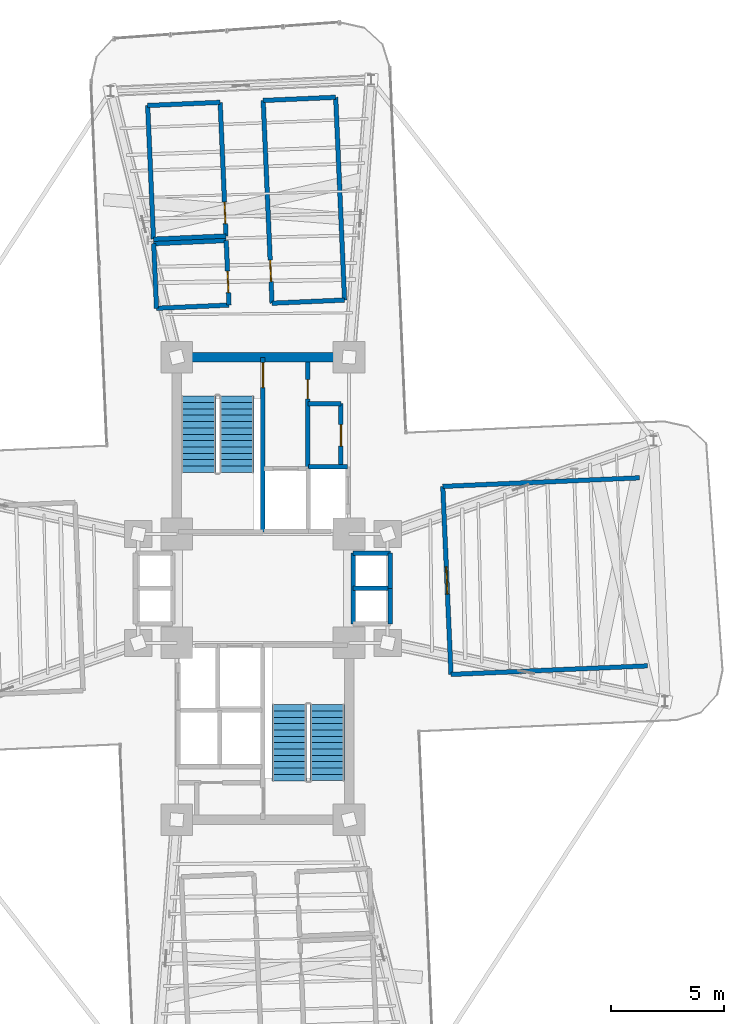
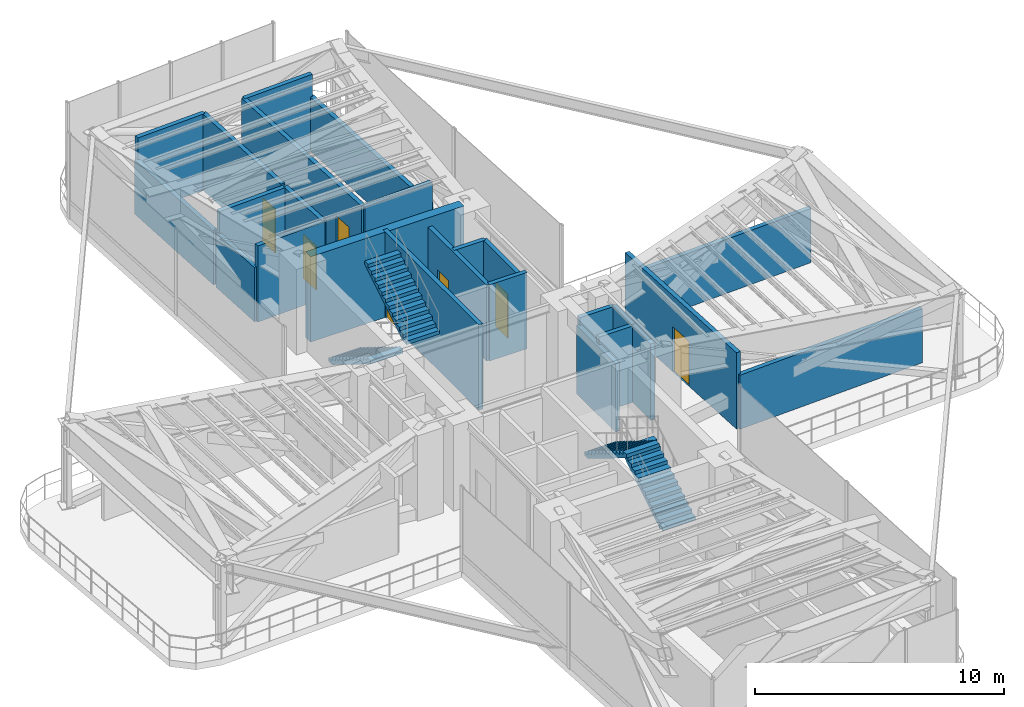
# One storey, part 16 of 18: 26 walls, 7 doors, 4 stair flights, 7 openings, 2 elements without a shape of their own.
"""IFC4 building model written with IfcOpenShell, lengths in metres."""

from ifc_helpers import new_model, si_unit, direction, frame, frame_2d, origin, origin_2d, place, context, subcontext, project, spatial, polyline, rectangle, outline, extrude, source, transform, mapped, material, layer, layer_set, type_object, element, fill, aggregate, save


model = new_model("IFC4")

# Units and contexts
model_context = context("Model", 3, precision=1e-05, world=origin(), true_north=direction((0.0, 1.0)))
body_context = subcontext(model_context, "Body", "Model", "MODEL_VIEW")
ifc_project = project(units=[si_unit("LENGTHUNIT", "METRE"), si_unit("AREAUNIT", "SQUARE_METRE"), si_unit("VOLUMEUNIT", "CUBIC_METRE"), si_unit("PLANEANGLEUNIT", "RADIAN"), si_unit("MASSUNIT", "GRAM", prefix="KILO")], contexts=[model_context])

# Site, building, storey
site_placement = place(None, origin())
site = spatial("IfcSite", under=ifc_project, at=site_placement, CompositionType="ELEMENT")
building_placement = place(site_placement, origin())
building = spatial("IfcBuilding", under=site, at=building_placement, Name="Sahyath Konkavel Grand Hotel", CompositionType="ELEMENT")
storey_placement = place(building_placement, frame((0.0, 0.0, 138.25)))
storey = spatial("IfcBuildingStorey", under=building, at=storey_placement, Name="L38", CompositionType="ELEMENT", Elevation=138.25)

# Wall
ifc_material_1 = material(Name="Concrete C50/60", Category="concrete")
ifc_layer_1 = layer(ifc_material_1, 0.419921875)
ifc_layer_set_1 = layer_set([ifc_layer_1], Name="Concrete C50/60")
wall_type_1 = type_object("IfcWallType", Name="CWALL-420", PredefinedType="SHEAR", material=ifc_layer_set_1)
wall_1_placement = place(storey_placement, frame((-3.550048828125, 10.199951171875, 0.0), z_axis=(0.0, 0.0, 1.0), x_axis=(1.0, 0.0, 0.0)))
element("IfcWall", 1, at=wall_1_placement, inside=storey, type_object=wall_type_1, Name="L38 North Core Shear Wall N", PredefinedType="SHEAR", context=body_context, shape_type="SweptSolid", body=[
    extrude(rectangle(XDim=7.10009765625, YDim=0.419921875, at=frame_2d((3.550048828125, 0.0))), origin(), (0.0, 0.0, 1.0), 4.179931640625),
])

# Wall, opening, door
ifc_material_2 = material(Name="Concrete C40/50", Category="concrete")
ifc_layer_2 = layer(ifc_material_2, 0.199951171875)
ifc_layer_set_2 = layer_set([ifc_layer_2], Name="Concrete C40/50")
wall_type_2 = type_object("IfcWallType", Name="WLL-CORE-200", PredefinedType="SOLIDWALL", material=ifc_layer_set_2)
wall_2_placement = place(storey_placement, frame((0.0, 2.5, 0.0), z_axis=(0.0, 0.0, 1.0), x_axis=(0.0, 1.0, 0.0)))
wall_2 = element("IfcWall", 2, at=wall_2_placement, inside=storey, type_object=wall_type_2, Name="L38 Stair ST-1 Shaft Wall E", PredefinedType="SOLIDWALL", context=body_context, shape_type="SweptSolid", body=[
    extrude(rectangle(XDim=7.679931640625, YDim=0.199951171875, at=frame_2d((3.83984375, 0.0))), origin(), (0.0, 0.0, 1.0), 4.179931640625),
])
opening_1_placement = place(wall_2_placement, frame((6.360107421875, 0.0, 0.0)))
opening_1 = element("IfcOpeningElement", 3, at=opening_1_placement, cuts=wall_2, Name="Opening D-F12B", PredefinedType="OPENING", context=body_context, shape_type="SweptSolid", body=[
    extrude(rectangle(XDim=1.10009765625, YDim=2.14990234375, at=frame_2d((0.550048828125, 1.074951171875))), frame((0.0, 0.10986328125, 0.0), z_axis=(0.0, -1.0, 0.0), x_axis=(1.0, 0.0, 0.0)), (0.0, 0.0, 1.0), 0.219970703125),
])
ifc_material_3 = material(Name="Steel E350 Smokeproof Fire Door", Category="steel")
door_type_1 = type_object("IfcDoorType", Name="DR-FD120-1100", OperationType="NOTDEFINED", PredefinedType="DOOR", material=ifc_material_3)
shared_shape_1 = source(origin(), body_context, "Body", "SweptSolid", [
    extrude(rectangle(XDim=1.10009765625, YDim=0.050048828125, at=origin_2d()), origin(), (0.0, 0.0, 1.0), 2.14990234375),
])
door_1_placement = place(opening_1_placement, frame((0.550048828125, 0.0, 0.0)))
door_1 = element("IfcDoor", 4, at=door_1_placement, inside=storey, type_object=door_type_1, Name="L38 Stair ST-1 Fire Door", OperationType="SINGLE_SWING_RIGHT", OverallHeight=2.14990234375, OverallWidth=1.10009765625, PredefinedType="DOOR", context=body_context, shape_type="MappedRepresentation", body=[
    mapped(shared_shape_1, transform((0.0, 0.0, 0.0), scale=1.0)),
])
fill(opening_1, door_1)

wall_3_placement = place(storey_placement, frame((1.97998046875, 5.320068359375, 0.0), z_axis=(0.0, 0.0, 1.0), x_axis=(0.0, 1.0, 0.0)))
wall_3 = element("IfcWall", 5, at=wall_3_placement, inside=storey, type_object=wall_type_2, Name="L38 North Firefighting Lobby Wall E", PredefinedType="SOLIDWALL", context=body_context, shape_type="SweptSolid", body=[
    extrude(rectangle(XDim=4.659912109375, YDim=0.199951171875, at=frame_2d((2.330078125, 0.0))), origin(), (0.0, 0.0, 1.0), 3.72998046875),
])
opening_2_placement = place(wall_3_placement, frame((3.0400390625, 0.0, 0.0)))
opening_2 = element("IfcOpeningElement", 6, at=opening_2_placement, cuts=wall_3, Name="Opening D-F12D", PredefinedType="OPENING", context=body_context, shape_type="SweptSolid", body=[
    extrude(rectangle(XDim=0.85009765625, YDim=2.10009765625, at=frame_2d((0.425048828125, 1.050048828125))), frame((0.0, 0.10986328125, 0.0), z_axis=(0.0, -1.0, 0.0), x_axis=(1.0, 0.0, 0.0)), (0.0, 0.0, 1.0), 0.219970703125),
])
ifc_material_4 = material(Name="Steel E350 Core Fire Door", Category="steel")
door_type_2 = type_object("IfcDoorType", Name="DR-FD120-850", OperationType="NOTDEFINED", PredefinedType="DOOR", material=ifc_material_4)
shared_shape_2 = source(origin(), body_context, "Body", "SweptSolid", [
    extrude(rectangle(XDim=0.85009765625, YDim=0.050048828125, at=origin_2d()), origin(), (0.0, 0.0, 1.0), 2.10009765625),
])
door_2_placement = place(opening_2_placement, frame((0.425048828125, 0.0, 0.0)))
door_2 = element("IfcDoor", 7, at=door_2_placement, inside=storey, type_object=door_type_2, Name="L38 North Firefighting Lobby Door", OperationType="SINGLE_SWING_RIGHT", OverallHeight=2.10009765625, OverallWidth=0.85009765625, PredefinedType="DOOR", context=body_context, shape_type="MappedRepresentation", body=[
    mapped(shared_shape_2, transform((0.0, 0.0, 0.0), scale=1.0)),
])
fill(opening_2, door_2)

# Walls
wall_4_placement = place(storey_placement, frame((2.0, 5.360107421875, 0.0), z_axis=(0.0, 0.0, 1.0), x_axis=(1.0, 0.0, 0.0)))
element("IfcWall", 8, at=wall_4_placement, inside=storey, type_object=wall_type_2, Name="L38 Partition SH-SVL1-N", PredefinedType="SOLIDWALL", context=body_context, shape_type="SweptSolid", body=[
    extrude(rectangle(XDim=1.739990234375, YDim=0.199951171875, at=frame_2d((0.8701171875, 0.0))), origin(), (0.0, 0.0, 1.0), 3.72998046875),
])
wall_5_placement = place(storey_placement, frame((3.97998046875, -1.56005859375, 0.0), z_axis=(0.0, 0.0, 1.0), x_axis=(0.0, 1.0, 0.0)))
element("IfcWall", 9, at=wall_5_placement, inside=storey, type_object=wall_type_2, Name="L38 Partition SH-PL56-W", PredefinedType="SOLIDWALL", context=body_context, shape_type="SweptSolid", body=[
    extrude(rectangle(XDim=3.1201171875, YDim=0.199951171875, at=frame_2d((1.56005859375, 0.0))), origin(), (0.0, 0.0, 1.0), 3.35009765625),
])
for number, where, z_axis, x_axis, name in (
    (10, (3.97998046875, 1.56005859375, 0.0), (0.0, 0.0, 1.0), (1.0, 0.0, 0.0), "L38 Partition SH-PL56-N"),
    (11, (3.97998046875, 0.0, 0.0), (0.0, 0.0, 1.0), (1.0, 0.0, 0.0), "L38 Partition SH-PL56-M"),
):
    element("IfcWall", number, at=place(storey_placement, frame(where, z_axis=z_axis, x_axis=x_axis)), inside=storey, type_object=wall_type_2, Name=name, PredefinedType="SOLIDWALL", context=body_context, shape_type="SweptSolid", body=[
        extrude(rectangle(XDim=1.64013671875, YDim=0.199951171875, at=frame_2d((0.820068359375, 0.0))), origin(), (0.0, 0.0, 1.0), 3.72998046875),
    ])
for number, where, z_axis, x_axis, name in (
    (12, (5.6201171875, 0.0, 0.0), (0.0, 0.0, 1.0), (0.0, 1.0, 0.0), "L38 Partition SH-PL5-E"),
    (13, (5.6201171875, -1.56005859375, 0.0), (0.0, 0.0, 1.0), (0.0, 1.0, 0.0), "L38 Partition SH-PL6-E"),
):
    element("IfcWall", number, at=place(storey_placement, frame(where, z_axis=z_axis, x_axis=x_axis)), inside=storey, type_object=wall_type_2, Name=name, PredefinedType="SOLIDWALL", context=body_context, shape_type="SweptSolid", body=[
        extrude(rectangle(XDim=1.56005859375, YDim=0.199951171875, at=frame_2d((0.780029296875, 0.0))), origin(), (0.0, 0.0, 1.0), 3.72998046875),
    ])

# Wall, opening, door
wall_6_placement = place(storey_placement, frame((3.43994140625, 5.3798828125, 0.0), z_axis=(0.0, 0.0, 1.0), x_axis=(0.0, 1.0, 0.0)))
wall_6 = element("IfcWall", 14, at=wall_6_placement, inside=storey, type_object=wall_type_2, Name="L38 Reclaimed North Core Wall E", PredefinedType="SOLIDWALL", context=body_context, shape_type="SweptSolid", body=[
    extrude(rectangle(XDim=2.77001953125, YDim=0.199951171875, at=frame_2d((1.385009765625, 0.0))), origin(), (0.0, 0.0, 1.0), 3.72998046875),
])
opening_3_placement = place(wall_6_placement, frame((0.89990234375, 0.0, 0.0)))
opening_3 = element("IfcOpeningElement", 15, at=opening_3_placement, cuts=wall_6, Name="Opening D-F06B", PredefinedType="OPENING", context=body_context, shape_type="SweptSolid", body=[
    extrude(rectangle(XDim=0.949951171875, YDim=2.14990234375, at=frame_2d((0.47509765625, 1.074951171875))), frame((0.0, 0.10986328125, 0.0), z_axis=(0.0, -1.0, 0.0), x_axis=(1.0, 0.0, 0.0)), (0.0, 0.0, 1.0), 0.219970703125),
])
ifc_material_5 = material(Name="Teak Veneer Fire-Rated Guest Entrance Door")
door_type_3 = type_object("IfcDoorType", Name="DR-FD60-950", OperationType="NOTDEFINED", PredefinedType="DOOR", material=ifc_material_5)
shared_shape_3 = source(origin(), body_context, "Body", "SweptSolid", [
    extrude(rectangle(XDim=0.949951171875, YDim=0.050048828125, at=origin_2d()), origin(), (0.0, 0.0, 1.0), 2.14990234375),
])
door_3_placement = place(opening_3_placement, frame((0.47509765625, 0.0, 0.0)))
door_3 = element("IfcDoor", 16, at=door_3_placement, inside=storey, type_object=door_type_3, Name="L38 Door NC-REC1-D", OperationType="SINGLE_SWING_LEFT", OverallHeight=2.14990234375, OverallWidth=0.949951171875, PredefinedType="DOOR", context=body_context, shape_type="MappedRepresentation", body=[
    mapped(shared_shape_3, transform((0.0, 0.0, 0.0), scale=1.0)),
])
fill(opening_3, door_3)

# Wall
wall_7_placement = place(storey_placement, frame((1.97998046875, 8.14990234375, 0.0), z_axis=(0.0, 0.0, 1.0), x_axis=(1.0, 0.0, 0.0)))
element("IfcWall", 17, at=wall_7_placement, inside=storey, type_object=wall_type_2, Name="L38 Partition NC-REC-N", PredefinedType="SOLIDWALL", context=body_context, shape_type="SweptSolid", body=[
    extrude(rectangle(XDim=1.4599609375, YDim=0.199951171875, at=frame_2d((0.72998046875, 0.0))), origin(), (0.0, 0.0, 1.0), 3.72998046875),
])

# Wall, opening, door
wall_8_placement = place(storey_placement, frame((8.293212890625, -3.7919921875, 0.0), z_axis=(0.0, 0.0, 1.0), x_axis=(-0.043591675458, 0.999049431125, 0.0)))
wall_8 = element("IfcWall", 18, at=wall_8_placement, inside=storey, type_object=wall_type_2, Name="L38 Partition REF-E-IN", PredefinedType="SOLIDWALL", context=body_context, shape_type="SweptSolid", body=[
    extrude(rectangle(XDim=8.300048828125, YDim=0.199951171875, at=frame_2d((4.14990234375, 0.0))), origin(), (0.0, 0.0, 1.0), 3.72998046875),
])
opening_4_placement = place(wall_8_placement, frame((3.550048828125, 0.0, 0.0)))
opening_4 = element("IfcOpeningElement", 19, at=opening_4_placement, cuts=wall_8, Name="Opening D-F12A", PredefinedType="OPENING", context=body_context, shape_type="SweptSolid", body=[
    extrude(rectangle(XDim=1.199951171875, YDim=2.199951171875, at=frame_2d((0.60009765625, 1.10009765625))), frame((0.0, 0.10986328125, 0.0), z_axis=(0.0, -1.0, 0.0), x_axis=(1.0, 0.0, 0.0)), (0.0, 0.0, 1.0), 0.219970703125),
])
ifc_material_6 = material(Name="Steel E350 Fire Door", Category="steel")
door_type_4 = type_object("IfcDoorType", Name="DR-FD120-1200", OperationType="NOTDEFINED", PredefinedType="DOOR", material=ifc_material_6)
shared_shape_4 = source(origin(), body_context, "Body", "SweptSolid", [
    extrude(rectangle(XDim=1.199951171875, YDim=0.050048828125, at=origin_2d()), origin(), (0.0, 0.0, 1.0), 2.199951171875),
])
door_4_placement = place(opening_4_placement, frame((0.60009765625, 0.0, 0.0)))
door_4 = element("IfcDoor", 20, at=door_4_placement, inside=storey, type_object=door_type_4, Name="L38 Door REF-E-D", OperationType="SINGLE_SWING_RIGHT", OverallHeight=2.199951171875, OverallWidth=1.199951171875, PredefinedType="DOOR", context=body_context, shape_type="MappedRepresentation", body=[
    mapped(shared_shape_4, transform((0.0, 0.0, 0.0), scale=1.0)),
])
fill(opening_4, door_4)

# Walls
wall_9_placement = place(storey_placement, frame((7.931396484375, 4.500244140625, 0.0), z_axis=(0.0, 0.0, 1.0), x_axis=(0.999047967879, 0.04362519773, 0.0)))
element("IfcWall", 21, at=wall_9_placement, inside=storey, type_object=wall_type_2, Name="L38 Partition REF-E-N", PredefinedType="SOLIDWALL", context=body_context, shape_type="SweptSolid", body=[
    extrude(rectangle(XDim=8.679931640625, YDim=0.199951171875, at=frame_2d((4.33984375, 0.0))), origin(), (0.0, 0.0, 1.0), 2.64990234375),
])
wall_10_placement = place(storey_placement, frame((8.293212890625, -3.7919921875, 0.0), z_axis=(0.0, 0.0, 1.0), x_axis=(0.999046795199, 0.043652044655, 0.0)))
element("IfcWall", 22, at=wall_10_placement, inside=storey, type_object=wall_type_2, Name="L38 Partition REF-E-S", PredefinedType="SOLIDWALL", context=body_context, shape_type="SweptSolid", body=[
    extrude(rectangle(XDim=8.68017578125, YDim=0.199951171875, at=frame_2d((4.340087890625, 0.0))), origin(), (0.0, 0.0, 1.0), 2.64990234375),
])

# Wall, opening, door
wall_11_placement = place(storey_placement, frame((-1.49658203125, 12.49658203125, 0.0), z_axis=(0.0, 0.0, 1.0), x_axis=(-0.043600785227, 0.999049033595, 0.0)))
wall_11 = element("IfcWall", 23, at=wall_11_placement, inside=storey, type_object=wall_type_2, Name="L38 Partition PL-AHU-C", PredefinedType="SOLIDWALL", context=body_context, shape_type="SweptSolid", body=[
    extrude(rectangle(XDim=2.85009765625, YDim=0.199951171875, at=frame_2d((1.425048828125, 0.0))), origin(), (0.0, 0.0, 1.0), 3.72998046875),
])
opening_5_placement = place(wall_11_placement, frame((0.550048828125, 0.0, 0.0)))
opening_5 = element("IfcOpeningElement", 24, at=opening_5_placement, cuts=wall_11, Name="Opening D-F12C", PredefinedType="OPENING", context=body_context, shape_type="SweptSolid", body=[
    extrude(rectangle(XDim=0.949951171875, YDim=2.14990234375, at=frame_2d((0.47509765625, 1.074951171875))), frame((0.0, 0.10986328125, 0.0), z_axis=(0.0, -1.0, 0.0), x_axis=(1.0, 0.0, 0.0)), (0.0, 0.0, 1.0), 0.219970703125),
])
ifc_material_7 = material(Name="Steel E350 Plant Fire Door", Category="steel")
door_type_5 = type_object("IfcDoorType", Name="DR-FD120-950", OperationType="NOTDEFINED", PredefinedType="DOOR", material=ifc_material_7)
door_5_placement = place(opening_5_placement, frame((0.47509765625, 0.0, 0.0)))
door_5 = element("IfcDoor", 25, at=door_5_placement, inside=storey, type_object=door_type_5, Name="L38 Door PL-AHU-D", OperationType="SINGLE_SWING_RIGHT", OverallHeight=2.14990234375, OverallWidth=0.949951171875, PredefinedType="DOOR", context=body_context, shape_type="MappedRepresentation", body=[
    mapped(shared_shape_3, transform((0.0, 0.0, 0.0), scale=1.0)),
])
fill(opening_5, door_5)

# Walls
wall_12_placement = place(storey_placement, frame((-4.693603515625, 12.35693359375, 0.0), z_axis=(0.0, 0.0, 1.0), x_axis=(-0.043600785227, 0.999049033595, 0.0)))
element("IfcWall", 26, at=wall_12_placement, inside=storey, type_object=wall_type_2, Name="L38 Partition PL-AHU-O", PredefinedType="SOLIDWALL", context=body_context, shape_type="SweptSolid", body=[
    extrude(rectangle(XDim=2.85009765625, YDim=0.199951171875, at=frame_2d((1.425048828125, 0.0))), origin(), (0.0, 0.0, 1.0), 2.64990234375),
])
for number, where, z_axis, x_axis, name in (
    (27, (-1.49658203125, 12.49658203125, 0.0), (0.0, 0.0, 1.0), (-0.999047357133, -0.043639181999, 0.0), "L38 Partition PL-AHU-A"),
    (28, (-1.620849609375, 15.343994140625, 0.0), (0.0, 0.0, 1.0), (-0.999047357133, -0.043639181999, 0.0), "L38 Partition PL-AHU-B"),
):
    element("IfcWall", number, at=place(storey_placement, frame(where, z_axis=z_axis, x_axis=x_axis)), inside=storey, type_object=wall_type_2, Name=name, PredefinedType="SOLIDWALL", context=body_context, shape_type="SweptSolid", body=[
        extrude(rectangle(XDim=3.199951171875, YDim=0.199951171875, at=frame_2d((1.60009765625, 0.0))), origin(), (0.0, 0.0, 1.0), 3.72998046875),
    ])

# Wall, opening, door
wall_13_placement = place(storey_placement, frame((-1.629638671875, 15.543701171875, 0.0), z_axis=(0.0, 0.0, 1.0), x_axis=(-0.043615003408, 0.99904841298, 0.0)))
wall_13 = element("IfcWall", 29, at=wall_13_placement, inside=storey, type_object=wall_type_2, Name="L38 Partition PL-TNK-C", PredefinedType="SOLIDWALL", context=body_context, shape_type="SweptSolid", body=[
    extrude(rectangle(XDim=5.89990234375, YDim=0.199951171875, at=frame_2d((2.949951171875, 0.0))), origin(), (0.0, 0.0, 1.0), 3.72998046875),
])
opening_6_placement = place(wall_13_placement, frame((0.550048828125, 0.0, 0.0)))
opening_6 = element("IfcOpeningElement", 30, at=opening_6_placement, cuts=wall_13, Name="Opening D-F12C", PredefinedType="OPENING", context=body_context, shape_type="SweptSolid", body=[
    extrude(rectangle(XDim=0.949951171875, YDim=2.14990234375, at=frame_2d((0.47509765625, 1.074951171875))), frame((0.0, 0.10986328125, 0.0), z_axis=(0.0, -1.0, 0.0), x_axis=(1.0, 0.0, 0.0)), (0.0, 0.0, 1.0), 0.219970703125),
])
door_6_placement = place(opening_6_placement, frame((0.47509765625, 0.0, 0.0)))
door_6 = element("IfcDoor", 31, at=door_6_placement, inside=storey, type_object=door_type_5, Name="L38 Door PL-TNK-D", OperationType="SINGLE_SWING_LEFT", OverallHeight=2.14990234375, OverallWidth=0.949951171875, PredefinedType="DOOR", context=body_context, shape_type="MappedRepresentation", body=[
    mapped(shared_shape_3, transform((0.0, 0.0, 0.0), scale=1.0)),
])
fill(opening_6, door_6)

# Walls
wall_14_placement = place(storey_placement, frame((-4.826416015625, 15.404052734375, 0.0), z_axis=(0.0, 0.0, 1.0), x_axis=(-0.04365450032, 0.999046687899, 0.0)))
element("IfcWall", 32, at=wall_14_placement, inside=storey, type_object=wall_type_2, Name="L38 Partition PL-TNK-O", PredefinedType="SOLIDWALL", context=body_context, shape_type="SweptSolid", body=[
    extrude(rectangle(XDim=5.900146484375, YDim=0.199951171875, at=frame_2d((2.9501953125, 0.0))), origin(), (0.0, 0.0, 1.0), 2.64990234375),
])
wall_15_placement = place(storey_placement, frame((-1.629638671875, 15.543701171875, 0.0), z_axis=(0.0, 0.0, 1.0), x_axis=(-0.999047211827, -0.043642508413, 0.0)))
element("IfcWall", 33, at=wall_15_placement, inside=storey, type_object=wall_type_2, Name="L38 Partition PL-TNK-A", PredefinedType="SOLIDWALL", context=body_context, shape_type="SweptSolid", body=[
    extrude(rectangle(XDim=3.19970703125, YDim=0.199951171875, at=frame_2d((1.599853515625, 0.0))), origin(), (0.0, 0.0, 1.0), 2.64990234375),
])
wall_16_placement = place(storey_placement, frame((-1.886962890625, 21.43798828125, 0.0), z_axis=(0.0, 0.0, 1.0), x_axis=(-0.999050680403, -0.043563034632, 0.0)))
element("IfcWall", 34, at=wall_16_placement, inside=storey, type_object=wall_type_2, Name="L38 Partition PL-TNK-B", PredefinedType="SOLIDWALL", context=body_context, shape_type="SweptSolid", body=[
    extrude(rectangle(XDim=3.199951171875, YDim=0.199951171875, at=frame_2d((1.60009765625, 0.0))), origin(), (0.0, 0.0, 1.0), 3.72998046875),
])

# Wall, opening, door
wall_17_placement = place(storey_placement, frame((0.401611328125, 12.57958984375, 0.0), z_axis=(0.0, 0.0, 1.0), x_axis=(-0.043618342596, 0.999048267197, 0.0)))
wall_17 = element("IfcWall", 35, at=wall_17_placement, inside=storey, type_object=wall_type_2, Name="L38 Partition PL-PRS-C", PredefinedType="SOLIDWALL", context=body_context, shape_type="SweptSolid", body=[
    extrude(rectangle(XDim=8.949951171875, YDim=0.199951171875, at=frame_2d((4.47509765625, 0.0))), origin(), (0.0, 0.0, 1.0), 3.72998046875),
])
opening_7_placement = place(wall_17_placement, frame((0.949951171875, 0.0, 0.0)))
opening_7 = element("IfcOpeningElement", 36, at=opening_7_placement, cuts=wall_17, Name="Opening D-F12C", PredefinedType="OPENING", context=body_context, shape_type="SweptSolid", body=[
    extrude(rectangle(XDim=0.949951171875, YDim=2.14990234375, at=frame_2d((0.47509765625, 1.074951171875))), frame((0.0, 0.10986328125, 0.0), z_axis=(0.0, -1.0, 0.0), x_axis=(1.0, 0.0, 0.0)), (0.0, 0.0, 1.0), 0.219970703125),
])
door_7_placement = place(opening_7_placement, frame((0.47509765625, 0.0, 0.0)))
door_7 = element("IfcDoor", 37, at=door_7_placement, inside=storey, type_object=door_type_5, Name="L38 Door PL-PRS-D", OperationType="SINGLE_SWING_RIGHT", OverallHeight=2.14990234375, OverallWidth=0.949951171875, PredefinedType="DOOR", context=body_context, shape_type="MappedRepresentation", body=[
    mapped(shared_shape_3, transform((0.0, 0.0, 0.0), scale=1.0)),
])
fill(opening_7, door_7)

# Walls
wall_18_placement = place(storey_placement, frame((3.5986328125, 12.718994140625, 0.0), z_axis=(0.0, 0.0, 1.0), x_axis=(-0.043617153918, 0.999048319094, 0.0)))
element("IfcWall", 38, at=wall_18_placement, inside=storey, type_object=wall_type_2, Name="L38 Partition PL-PRS-O", PredefinedType="SOLIDWALL", context=body_context, shape_type="SweptSolid", body=[
    extrude(rectangle(XDim=8.9501953125, YDim=0.199951171875, at=frame_2d((4.47509765625, 0.0))), origin(), (0.0, 0.0, 1.0), 2.64990234375),
])
for number, where, z_axis, x_axis, name in (
    (39, (3.5986328125, 12.718994140625, 0.0), (0.0, 0.0, 1.0), (-0.999050680403, -0.043563034632, 0.0), "L38 Partition PL-PRS-A"),
    (40, (3.208251953125, 21.66064453125, 0.0), (0.0, 0.0, 1.0), (-0.999047357133, -0.043639181999, 0.0), "L38 Partition PL-PRS-B"),
):
    element("IfcWall", number, at=place(storey_placement, frame(where, z_axis=z_axis, x_axis=x_axis)), inside=storey, type_object=wall_type_2, Name=name, PredefinedType="SOLIDWALL", context=body_context, shape_type="SweptSolid", body=[
        extrude(rectangle(XDim=3.199951171875, YDim=0.199951171875, at=frame_2d((1.60009765625, 0.0))), origin(), (0.0, 0.0, 1.0), 3.72998046875),
    ])

# Stair, stair flights
stair_type = type_object("IfcStairType", Name="STR-ST16-450", PredefinedType="HALF_TURN_STAIR", material=ifc_material_2)
stair_1_placement = place(storey_placement, origin())
stair_1 = element("IfcStair", 41, at=stair_1_placement, inside=storey, type_object=stair_type, Name="L38 North Core Smokeproof Exit Stair ST-1", PredefinedType="HALF_TURN_STAIR")
stair_flight_type = type_object("IfcStairFlightType", Name="STF-ST16-450", PredefinedType="STRAIGHT", material=ifc_material_2)
stair_flight_1_placement = place(storey_placement, frame((-2.840087890625, 8.47998046875, 0.0), z_axis=(0.0, 0.0, 1.0), x_axis=(0.0, -1.0, 0.0)))
stair_flight_1 = element("IfcStairFlight", 42, at=stair_flight_1_placement, type_object=stair_flight_type, Name="ST-1 flight 1", NumberOfRisers=13, NumberOfTreads=12, PredefinedType="STRAIGHT", RiserHeight=0.173076923, TreadLength=0.28, context=body_context, shape_type="SweptSolid", body=[
    extrude(outline(polyline([(0.0, 0.0), (0.0, 0.173095703125), (0.280029296875, 0.173095703125), (0.280029296875, 0.34619140625), (0.56005859375, 0.34619140625), (0.56005859375, 0.519287109375), (0.840087890625, 0.519287109375), (0.840087890625, 0.6923828125), (1.1201171875, 0.6923828125), (1.1201171875, 0.865478515625), (1.39990234375, 0.865478515625), (1.39990234375, 1.03857421875), (1.679931640625, 1.03857421875), (1.679931640625, 1.21142578125), (1.9599609375, 1.21142578125), (1.9599609375, 1.384521484375), (2.239990234375, 1.384521484375), (2.239990234375, 1.5576171875), (2.52001953125, 1.5576171875), (2.52001953125, 1.730712890625), (2.800048828125, 1.730712890625), (2.800048828125, 1.90380859375), (3.080078125, 1.90380859375), (3.080078125, 2.076904296875), (3.360107421875, 2.076904296875), (3.360107421875, 2.25), (3.360107421875, 1.900634765625), (0.28515625, 0.0), (0.0, 0.0)])), frame((0.0, 0.760009765625, 0.0), z_axis=(0.0, -1.0, 0.0), x_axis=(1.0, 0.0, 0.0)), (0.0, 0.0, 1.0), 1.52001953125),
])
stair_flight_2_placement = place(storey_placement, frame((-1.159912109375, 5.1201171875, 2.25), z_axis=(0.0, 0.0, 1.0), x_axis=(0.0, 1.0, 0.0)))
stair_flight_2 = element("IfcStairFlight", 43, at=stair_flight_2_placement, type_object=stair_flight_type, Name="ST-1 flight 2", NumberOfRisers=13, NumberOfTreads=12, PredefinedType="STRAIGHT", RiserHeight=0.173076923, TreadLength=0.28, context=body_context, shape_type="SweptSolid", body=[
    extrude(outline(polyline([(0.0, 0.0), (0.0, 0.173095703125), (0.280029296875, 0.173095703125), (0.280029296875, 0.34619140625), (0.56005859375, 0.34619140625), (0.56005859375, 0.519287109375), (0.840087890625, 0.519287109375), (0.840087890625, 0.6923828125), (1.1201171875, 0.6923828125), (1.1201171875, 0.865478515625), (1.39990234375, 0.865478515625), (1.39990234375, 1.03857421875), (1.679931640625, 1.03857421875), (1.679931640625, 1.21142578125), (1.9599609375, 1.21142578125), (1.9599609375, 1.384521484375), (2.239990234375, 1.384521484375), (2.239990234375, 1.5576171875), (2.52001953125, 1.5576171875), (2.52001953125, 1.730712890625), (2.800048828125, 1.730712890625), (2.800048828125, 1.90380859375), (3.080078125, 1.90380859375), (3.080078125, 2.076904296875), (3.360107421875, 2.076904296875), (3.360107421875, 2.25), (3.360107421875, 1.900634765625), (0.28515625, 0.0), (0.0, 0.0)])), frame((0.0, 0.760009765625, 0.0), z_axis=(0.0, -1.0, 0.0), x_axis=(1.0, 0.0, 0.0)), (0.0, 0.0, 1.0), 1.52001953125),
])
aggregate(stair_1, [stair_flight_1, stair_flight_2])

stair_2_placement = place(storey_placement, origin())
stair_2 = element("IfcStair", 44, at=stair_2_placement, inside=storey, type_object=stair_type, Name="L38 South Core Smokeproof Exit Stair ST-2", PredefinedType="HALF_TURN_STAIR")
stair_flight_3_placement = place(storey_placement, frame((2.840087890625, -8.47998046875, 0.0), z_axis=(0.0, 0.0, 1.0), x_axis=(0.0, 1.0, 0.0)))
stair_flight_3 = element("IfcStairFlight", 45, at=stair_flight_3_placement, type_object=stair_flight_type, Name="ST-2 flight 1", NumberOfRisers=13, NumberOfTreads=12, PredefinedType="STRAIGHT", RiserHeight=0.173076923, TreadLength=0.28, context=body_context, shape_type="SweptSolid", body=[
    extrude(outline(polyline([(0.0, 0.0), (0.0, 0.173095703125), (0.280029296875, 0.173095703125), (0.280029296875, 0.34619140625), (0.56005859375, 0.34619140625), (0.56005859375, 0.519287109375), (0.840087890625, 0.519287109375), (0.840087890625, 0.6923828125), (1.1201171875, 0.6923828125), (1.1201171875, 0.865478515625), (1.39990234375, 0.865478515625), (1.39990234375, 1.03857421875), (1.679931640625, 1.03857421875), (1.679931640625, 1.21142578125), (1.9599609375, 1.21142578125), (1.9599609375, 1.384521484375), (2.239990234375, 1.384521484375), (2.239990234375, 1.5576171875), (2.52001953125, 1.5576171875), (2.52001953125, 1.730712890625), (2.800048828125, 1.730712890625), (2.800048828125, 1.90380859375), (3.080078125, 1.90380859375), (3.080078125, 2.076904296875), (3.360107421875, 2.076904296875), (3.360107421875, 2.25), (3.360107421875, 1.900634765625), (0.28515625, 0.0), (0.0, 0.0)])), frame((0.0, 0.760009765625, 0.0), z_axis=(0.0, -1.0, 0.0), x_axis=(1.0, 0.0, 0.0)), (0.0, 0.0, 1.0), 1.52001953125),
])
stair_flight_4_placement = place(storey_placement, frame((1.159912109375, -5.1201171875, 2.25), z_axis=(0.0, 0.0, 1.0), x_axis=(0.0, -1.0, 0.0)))
stair_flight_4 = element("IfcStairFlight", 46, at=stair_flight_4_placement, type_object=stair_flight_type, Name="ST-2 flight 2", NumberOfRisers=13, NumberOfTreads=12, PredefinedType="STRAIGHT", RiserHeight=0.173076923, TreadLength=0.28, context=body_context, shape_type="SweptSolid", body=[
    extrude(outline(polyline([(0.0, 0.0), (0.0, 0.173095703125), (0.280029296875, 0.173095703125), (0.280029296875, 0.34619140625), (0.56005859375, 0.34619140625), (0.56005859375, 0.519287109375), (0.840087890625, 0.519287109375), (0.840087890625, 0.6923828125), (1.1201171875, 0.6923828125), (1.1201171875, 0.865478515625), (1.39990234375, 0.865478515625), (1.39990234375, 1.03857421875), (1.679931640625, 1.03857421875), (1.679931640625, 1.21142578125), (1.9599609375, 1.21142578125), (1.9599609375, 1.384521484375), (2.239990234375, 1.384521484375), (2.239990234375, 1.5576171875), (2.52001953125, 1.5576171875), (2.52001953125, 1.730712890625), (2.800048828125, 1.730712890625), (2.800048828125, 1.90380859375), (3.080078125, 1.90380859375), (3.080078125, 2.076904296875), (3.360107421875, 2.076904296875), (3.360107421875, 2.25), (3.360107421875, 1.900634765625), (0.28515625, 0.0), (0.0, 0.0)])), frame((0.0, 0.760009765625, 0.0), z_axis=(0.0, -1.0, 0.0), x_axis=(1.0, 0.0, 0.0)), (0.0, 0.0, 1.0), 1.52001953125),
])
aggregate(stair_2, [stair_flight_3, stair_flight_4])

save(model, "model.ifc")
